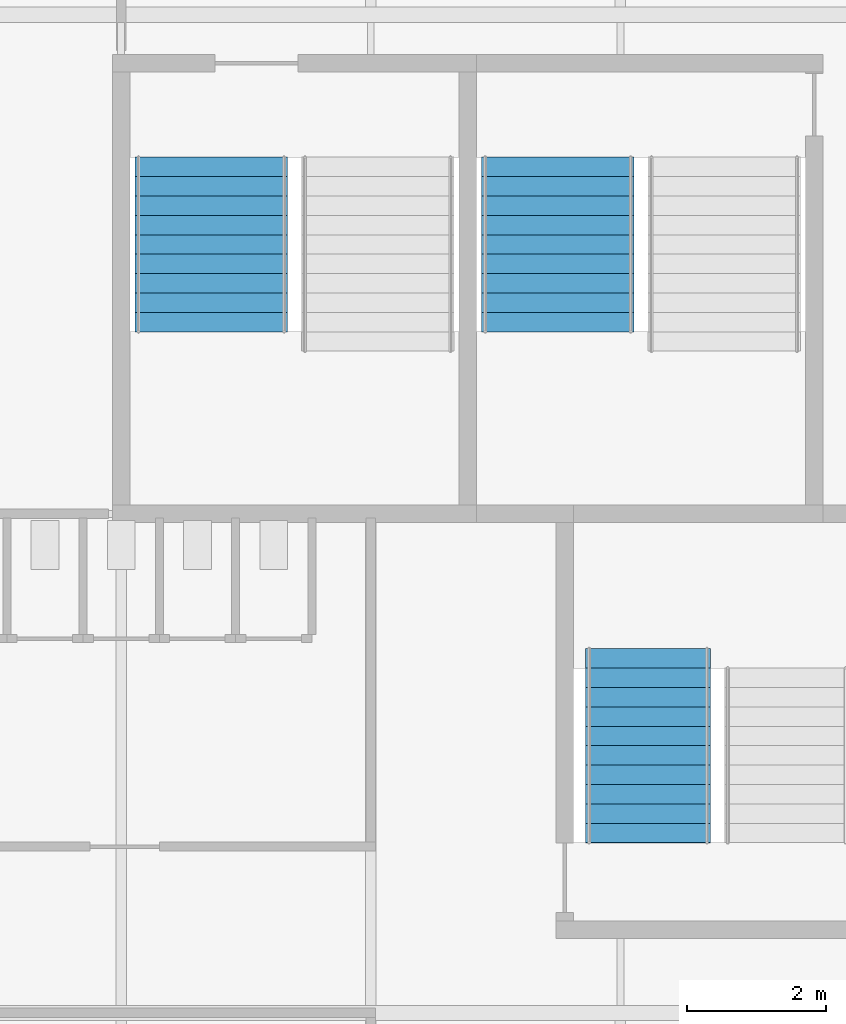
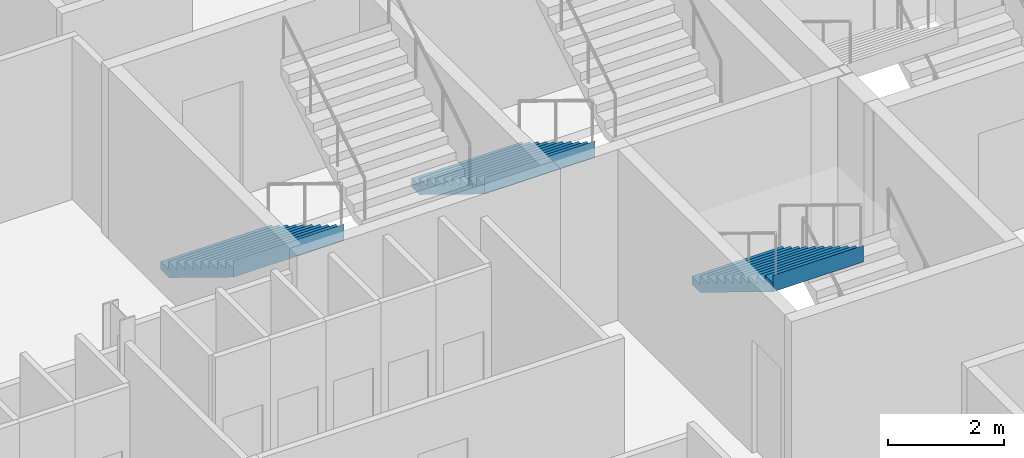
# One storey, part 65 of 90: 3 stair flights, 3 elements without a shape of their own.
"""IFC4 building model written with IfcOpenShell, lengths in metres."""

import ifcopenshell
import ifcopenshell.guid

model = None  # the IFC model being written
_history = None  # IfcOwnerHistory: only IFC2X3 demands one
_inside = {}  # id of a spatial element -> (the spatial element, [elements in it])
_under = {}  # id of a project, library or spatial element -> (it, [spatial elements below it])
_declared = {}  # id of a project -> (the project, [libraries it declares])
_typed = {}  # id of a type object -> (the type object, [elements of that type])
_made_of = {}  # id of a material, layer set ... -> (it, [elements and type objects made of it])


def new_model(schema):
    """Start an empty IFC model of exactly this schema.

    Asked for "IFC4X3", IfcOpenShell would pick the latest addendum, in which some entities
    have other attributes; the version numbers below select the first issue.
    IFC2X3 requires an IfcOwnerHistory on every rooted entity: one is made here for all.
    """
    global model, _history
    if schema == "IFC4X3":
        model = ifcopenshell.file(schema_version=(4, 3, 0, 0))
    else:
        model = ifcopenshell.file(schema=schema)
    _inside.clear()
    _under.clear()
    _declared.clear()
    _typed.clear()
    _made_of.clear()
    _history = None
    if model.schema == "IFC2X3":
        org = make("IfcOrganization", Name="unknown")
        user = make(
            "IfcPersonAndOrganization",
            ThePerson=make("IfcPerson", FamilyName="unknown"),
            TheOrganization=org,
        )
        app = make(
            "IfcApplication",
            ApplicationDeveloper=org,
            Version="unknown",
            ApplicationFullName="unknown",
            ApplicationIdentifier="unknown",
        )
        _history = make(
            "IfcOwnerHistory",
            OwningUser=user,
            OwningApplication=app,
            ChangeAction="ADDED",
            CreationDate=0,
        )
    return model


def make(cls, **values):
    """One entity of the class cls with the attributes given. An attribute that is None is left unset."""
    return model.create_entity(
        cls, **{name: value for name, value in values.items() if value is not None}
    )


def rooted(cls, **values):
    """An entity with a GlobalId (a new one), such as an element, a storey or a relation."""
    return make(cls, GlobalId=ifcopenshell.guid.new(), OwnerHistory=_history, **values)


def si_unit(unit_type, name, prefix=None):
    """IfcSIUnit, for example si_unit("LENGTHUNIT", "METRE", prefix="MILLI")."""
    return make("IfcSIUnit", UnitType=unit_type, Prefix=prefix, Name=name)


def assignment(units):
    """IfcUnitAssignment: the units of a project."""
    return None if units is None else make("IfcUnitAssignment", Units=units)


def point(xyz):
    """IfcCartesianPoint."""
    return None if xyz is None else make("IfcCartesianPoint", Coordinates=xyz)


def direction(xyz):
    """IfcDirection."""
    return None if xyz is None else make("IfcDirection", DirectionRatios=xyz)


def frame(location, z_axis=None, x_axis=None):
    """IfcAxis2Placement3D, a coordinate frame: its origin and axes. An axis left out is left unset."""
    return make(
        "IfcAxis2Placement3D",
        Location=point(location),
        Axis=direction(z_axis),
        RefDirection=direction(x_axis),
    )


def origin():
    """The frame at (0, 0, 0) with its axes left unset."""
    return frame((0.0, 0.0, 0.0))


def place(relative_to, where):
    """IfcLocalPlacement: puts the frame where relative to a parent placement (None: the world)."""
    return make(
        "IfcLocalPlacement", PlacementRelTo=relative_to, RelativePlacement=where
    )


def context(
    kind, dimensions, precision=None, world=None, true_north=None, identifier=None
):
    """IfcGeometricRepresentationContext, for example the 3D "Model" context."""
    return make(
        "IfcGeometricRepresentationContext",
        ContextIdentifier=identifier,
        ContextType=kind,
        CoordinateSpaceDimension=dimensions,
        Precision=precision,
        WorldCoordinateSystem=world,
        TrueNorth=true_north,
    )


def subcontext(parent, identifier, kind, view, scale=None):
    """IfcGeometricRepresentationSubContext, for example "Body" below "Model"."""
    return make(
        "IfcGeometricRepresentationSubContext",
        ContextIdentifier=identifier,
        ContextType=kind,
        ParentContext=parent,
        TargetScale=scale,
        TargetView=view,
    )


def project(units=None, contexts=None):
    """IfcProject with its units and contexts."""
    return rooted(
        "IfcProject",
        Name="project",
        RepresentationContexts=contexts,
        UnitsInContext=assignment(units),
    )


def spatial(cls, under=None, at=None, **own):
    """A site, building, storey or space (cls), placed at a placement, below another one or the project."""
    s = rooted(cls, ObjectPlacement=at, **own)
    if under is not None:
        _under.setdefault(under.id(), (under, []))[1].append(s)
    return s


def polyline(points):
    """IfcPolyline through the points."""
    return make("IfcPolyline", Points=[point(p) for p in points])


def outline(outer, holes=None, kind="AREA"):
    """IfcArbitraryClosedProfileDef: a profile drawn as a closed curve; with holes, ...WithVoids."""
    if holes is None:
        return make("IfcArbitraryClosedProfileDef", ProfileType=kind, OuterCurve=outer)
    return make(
        "IfcArbitraryProfileDefWithVoids",
        ProfileType=kind,
        OuterCurve=outer,
        InnerCurves=holes,
    )


def extrude(swept, where, along, depth):
    """IfcExtrudedAreaSolid: the profile swept, set in the frame where, extruded along a direction by depth."""
    return make(
        "IfcExtrudedAreaSolid",
        SweptArea=swept,
        Position=where,
        ExtrudedDirection=direction(along),
        Depth=depth,
    )


def shape(context_of_items, identifier, shape_type, items):
    """IfcShapeRepresentation: the items that make up one representation, for example the "Body"."""
    return make(
        "IfcShapeRepresentation",
        ContextOfItems=context_of_items,
        RepresentationIdentifier=identifier,
        RepresentationType=shape_type,
        Items=items,
    )


def material(Name=None, Category=None):
    """IfcMaterial."""
    return make("IfcMaterial", Name=Name, Category=Category)


def made_of(thing, what):
    """Note that an element or type object is made of a material, layer set ...; save() writes the relation."""
    if what is not None:
        _made_of.setdefault(what.id(), (what, []))[1].append(thing)
    return thing


def type_object(cls, material=None, **own):
    """A type object (cls), such as IfcWallType, which elements share."""
    return made_of(rooted(cls, **own), material)


def element(
    cls,
    number,
    at=None,
    inside=None,
    cuts=None,
    type_object=None,
    material=None,
    context=None,
    identifier="Body",
    shape_type=None,
    held_by="IfcProductDefinitionShape",
    body=None,
    shapes=None,
    **own,
):
    """One element of the class cls, such as IfcWall. Its Tag is "e" and its number.

    at: its placement. inside: the storey or other place that contains it. cuts: it is an
    opening in that element (IfcRelVoidsElement). A single representation is given by context,
    identifier, shape_type and body (its items); several are given by shapes. held_by: the class
    of the entity that holds the representations. save() writes the other relations.
    """
    e = rooted(cls, Tag="e%d" % number, ObjectPlacement=at, **own)
    if body is not None:
        shapes = [shape(context, identifier, shape_type, body)]
    if shapes is not None:
        e.Representation = make(held_by, Representations=shapes)
    if inside is not None:
        _inside.setdefault(inside.id(), (inside, []))[1].append(e)
    if cuts is not None:
        rooted(
            "IfcRelVoidsElement", RelatingBuildingElement=cuts, RelatedOpeningElement=e
        )
    if type_object is not None:
        _typed.setdefault(type_object.id(), (type_object, []))[1].append(e)
    return made_of(e, material)


def aggregate(whole, parts):
    """IfcRelAggregates: a whole, such as a stair, and the parts it consists of."""
    return rooted("IfcRelAggregates", RelatingObject=whole, RelatedObjects=parts)


def save(model, path):
    """Write the relations noted so far, then the file.

    IfcRelAggregates (storeys below a building ...), IfcRelContainedInSpatialStructure (elements
    in a storey), IfcRelDefinesByType, IfcRelAssociatesMaterial and IfcRelDeclares: one each for
    every whole, place, type object, material and project.
    """
    for whole, parts in _under.values():
        aggregate(whole, parts)
    for where, things in _inside.values():
        rooted(
            "IfcRelContainedInSpatialStructure",
            RelatedElements=things,
            RelatingStructure=where,
        )
    for kind, things in _typed.values():
        rooted("IfcRelDefinesByType", RelatedObjects=things, RelatingType=kind)
    for what, things in _made_of.values():
        rooted("IfcRelAssociatesMaterial", RelatedObjects=things, RelatingMaterial=what)
    for by, libraries in _declared.values():
        rooted("IfcRelDeclares", RelatingContext=by, RelatedDefinitions=libraries)
    model.write(path)


model = new_model("IFC4")

# Units and contexts
model_context = context("Model", 3, precision=1e-05, world=origin(), true_north=direction((0.0, 1.0)))
body_context = subcontext(model_context, "Body", "Model", "MODEL_VIEW")
ifc_project = project(units=[si_unit("LENGTHUNIT", "METRE"), si_unit("AREAUNIT", "SQUARE_METRE"), si_unit("VOLUMEUNIT", "CUBIC_METRE"), si_unit("PLANEANGLEUNIT", "RADIAN"), si_unit("MASSUNIT", "GRAM", prefix="KILO")], contexts=[model_context])

# Site, building, storey
site_placement = place(None, origin())
site = spatial("IfcSite", under=ifc_project, at=site_placement, CompositionType="ELEMENT")
building_placement = place(site_placement, origin())
building = spatial("IfcBuilding", under=site, at=building_placement, Name="Kupolbacken Congress Centre", CompositionType="ELEMENT")
storey_placement = place(building_placement, frame((0.0, 0.0, 3.60009765625)))
storey = spatial("IfcBuildingStorey", under=building, at=storey_placement, Name="L01", CompositionType="ELEMENT", Elevation=3.60009765625)

# Stair, stair flight
ifc_material_1 = material(Name="Concrete C30/37", Category="concrete")
stair_type_1 = type_object("IfcStairType", Name="ST13 stair 2200", PredefinedType="TWO_STRAIGHT_RUN_STAIR", material=ifc_material_1)
stair_1_placement = place(storey_placement, origin())
stair_1 = element("IfcStair", 1, at=stair_1_placement, inside=storey, type_object=stair_type_1, Name="C/stair/PS1SE/L01", PredefinedType="NOTDEFINED")
ifc_material_2 = material(Name="Concrete C30/37", Category="concrete")
stair_flight_type_1 = type_object("IfcStairFlightType", Name="FL13 stair flight 2200 x 10 risers", PredefinedType="STRAIGHT", material=ifc_material_2)
stair_flight_1_placement = place(storey_placement, frame((69.699951171875, 55.544921875, 0.0), z_axis=(0.0, 0.0, 1.0), x_axis=(0.0, -1.0, 0.0)))
stair_flight_1 = element("IfcStairFlight", 2, at=stair_flight_1_placement, type_object=stair_flight_type_1, Name="PS1SE flight 1", NumberOfRisers=10, NumberOfTreads=9, PredefinedType="STRAIGHT", RiserHeight=0.171428571, TreadLength=0.28, context=body_context, shape_type="SweptSolid", body=[
    extrude(outline(polyline([(0.0, 0.0), (0.0, 0.0009765625), (0.0, 0.002197265625), (0.0, 0.003173828125), (0.0, 0.004150390625), (0.0, 0.00537109375), (0.0, 0.00634765625), (0.0, 0.007568359375), (0.0, 0.008544921875), (0.0, 0.009521484375), (0.0, 0.0107421875), (0.0, 0.01171875), (0.0, 0.0126953125), (0.0, 0.013916015625), (0.0, 0.014892578125), (0.0, 0.015869140625), (0.0, 0.01708984375), (0.0, 0.01806640625), (0.0, 0.019287109375), (0.0, 0.020263671875), (0.0, 0.021240234375), (0.0, 0.0224609375), (0.0, 0.0234375), (0.0, 0.0244140625), (0.0, 0.025634765625), (0.0, 0.026611328125), (0.0, 0.027587890625), (0.0, 0.02880859375), (0.0, 0.02978515625), (0.0, 0.03076171875), (0.0, 0.031982421875), (0.0, 0.032958984375), (0.0, 0.0341796875), (0.0, 0.03515625), (0.0, 0.0361328125), (0.0, 0.037353515625), (0.0, 0.038330078125), (0.0, 0.039306640625), (0.0, 0.04052734375), (0.0, 0.04150390625), (0.0, 0.04248046875), (0.0, 0.043701171875), (0.0, 0.044677734375), (0.0, 0.0458984375), (0.0, 0.046875), (0.0, 0.0478515625), (0.0, 0.049072265625), (0.0, 0.050048828125), (0.0, 0.051025390625), (0.0, 0.05224609375), (0.0, 0.05322265625), (0.0, 0.05419921875), (0.0, 0.055419921875), (0.0, 0.056396484375), (0.0, 0.0576171875), (0.0, 0.05859375), (0.0, 0.0595703125), (0.0, 0.060791015625), (0.0, 0.061767578125), (0.0, 0.062744140625), (0.0, 0.06396484375), (0.0, 0.06494140625), (0.0, 0.06591796875), (0.0, 0.067138671875), (0.0, 0.068115234375), (0.0, 0.069091796875), (0.0, 0.0703125), (0.0, 0.0712890625), (0.0, 0.072509765625), (0.0, 0.073486328125), (0.0, 0.074462890625), (0.0, 0.07568359375), (0.0, 0.07666015625), (0.0, 0.07763671875), (0.0, 0.078857421875), (0.0, 0.079833984375), (0.0, 0.080810546875), (0.0, 0.08203125), (0.0, 0.0830078125), (0.0, 0.084228515625), (0.0, 0.085205078125), (0.0, 0.086181640625), (0.0, 0.08740234375), (0.0, 0.08837890625), (0.0, 0.08935546875), (0.0, 0.090576171875), (0.0, 0.091552734375), (0.0, 0.092529296875), (0.0, 0.09375), (0.0, 0.0947265625), (0.0, 0.095947265625), (0.0, 0.096923828125), (0.0, 0.097900390625), (0.0, 0.09912109375), (0.0, 0.10009765625), (0.0, 0.10107421875), (0.0, 0.102294921875), (0.0, 0.103271484375), (0.0, 0.104248046875), (0.0, 0.10546875), (0.0, 0.1064453125), (0.0, 0.107421875), (0.0, 0.108642578125), (0.0, 0.109619140625), (0.0, 0.11083984375), (0.0, 0.11181640625), (0.0, 0.11279296875), (0.0, 0.114013671875), (0.0, 0.114990234375), (0.0, 0.115966796875), (0.0, 0.1171875), (0.0, 0.1181640625), (0.0, 0.119140625), (0.0, 0.120361328125), (0.0, 0.121337890625), (0.0, 0.12255859375), (0.0, 0.12353515625), (0.0, 0.12451171875), (0.0, 0.125732421875), (0.0, 0.126708984375), (0.0, 0.127685546875), (0.0, 0.12890625), (0.0, 0.1298828125), (0.0, 0.130859375), (0.0, 0.132080078125), (0.0, 0.133056640625), (0.0, 0.13427734375), (0.0, 0.13525390625), (0.0, 0.13623046875), (0.0, 0.137451171875), (0.0, 0.138427734375), (0.0, 0.139404296875), (0.0, 0.140625), (0.0, 0.1416015625), (0.0, 0.142578125), (0.0, 0.143798828125), (0.0, 0.144775390625), (0.0, 0.145751953125), (0.0, 0.14697265625), (0.0, 0.14794921875), (0.0, 0.149169921875), (0.0, 0.150146484375), (0.0, 0.151123046875), (0.0, 0.15234375), (0.0, 0.1533203125), (0.0, 0.154296875), (0.0, 0.155517578125), (0.0, 0.156494140625), (0.0, 0.157470703125), (0.0, 0.15869140625), (0.0, 0.15966796875), (0.0, 0.160888671875), (0.0, 0.161865234375), (0.0, 0.162841796875), (0.0, 0.1640625), (0.0, 0.1650390625), (0.0, 0.166015625), (0.0, 0.167236328125), (0.0, 0.168212890625), (0.0, 0.169189453125), (0.0, 0.17041015625), (0.0, 0.17138671875), (0.280029296875, 0.17138671875), (0.280029296875, 0.3427734375), (0.56005859375, 0.3427734375), (0.56005859375, 0.514404296875), (0.840087890625, 0.514404296875), (0.840087890625, 0.685791015625), (1.1201171875, 0.685791015625), (1.1201171875, 0.857177734375), (1.39990234375, 0.857177734375), (1.39990234375, 1.028564453125), (1.679931640625, 1.028564453125), (1.679931640625, 1.199951171875), (1.9599609375, 1.199951171875), (1.9599609375, 1.371337890625), (2.239990234375, 1.371337890625), (2.239990234375, 1.54296875), (2.52001953125, 1.54296875), (2.52001953125, 1.71435546875), (2.52197265625, 1.71435546875), (2.52197265625, 1.712158203125), (2.52197265625, 1.7099609375), (2.52197265625, 1.707763671875), (2.52197265625, 1.70556640625), (2.52197265625, 1.70361328125), (2.52197265625, 1.701416015625), (2.52197265625, 1.69921875), (2.52197265625, 1.697021484375), (2.52197265625, 1.69482421875), (2.52197265625, 1.692626953125), (2.52197265625, 1.690673828125), (2.52197265625, 1.6884765625), (2.52197265625, 1.686279296875), (2.52197265625, 1.68408203125), (2.52197265625, 1.681884765625), (2.52197265625, 1.6796875), (2.52197265625, 1.677734375), (2.52197265625, 1.675537109375), (2.52197265625, 1.67333984375), (2.52197265625, 1.671142578125), (2.52197265625, 1.6689453125), (2.52197265625, 1.666748046875), (2.52197265625, 1.664794921875), (2.52197265625, 1.66259765625), (2.52197265625, 1.660400390625), (2.52197265625, 1.658203125), (2.52197265625, 1.656005859375), (2.52197265625, 1.65380859375), (2.52197265625, 1.65185546875), (2.52197265625, 1.649658203125), (2.52197265625, 1.6474609375), (2.52197265625, 1.645263671875), (2.52197265625, 1.64306640625), (2.52197265625, 1.640869140625), (2.52197265625, 1.638916015625), (2.52197265625, 1.63671875), (2.52197265625, 1.634521484375), (2.52197265625, 1.63232421875), (2.52197265625, 1.630126953125), (2.52197265625, 1.6279296875), (2.52197265625, 1.6259765625), (2.52197265625, 1.623779296875), (2.52197265625, 1.62158203125), (2.52197265625, 1.619384765625), (2.52197265625, 1.6171875), (2.52197265625, 1.614990234375), (2.52197265625, 1.613037109375), (2.52197265625, 1.61083984375), (2.52197265625, 1.608642578125), (2.52197265625, 1.6064453125), (2.52197265625, 1.604248046875), (2.52197265625, 1.60205078125), (2.52197265625, 1.60009765625), (2.52197265625, 1.597900390625), (2.52197265625, 1.595703125), (2.52197265625, 1.593505859375), (2.52197265625, 1.59130859375), (2.52197265625, 1.589111328125), (2.52197265625, 1.587158203125), (2.52197265625, 1.5849609375), (2.52197265625, 1.582763671875), (2.52197265625, 1.58056640625), (2.52197265625, 1.578369140625), (2.52197265625, 1.576171875), (2.52197265625, 1.57421875), (2.52197265625, 1.572021484375), (2.52197265625, 1.56982421875), (2.52197265625, 1.567626953125), (2.52197265625, 1.5654296875), (2.52197265625, 1.563232421875), (2.52197265625, 1.561279296875), (2.52197265625, 1.55908203125), (2.52197265625, 1.556884765625), (2.52197265625, 1.5546875), (2.52197265625, 1.552490234375), (2.52197265625, 1.55029296875), (2.52197265625, 1.54833984375), (2.52197265625, 1.546142578125), (2.52197265625, 1.5439453125), (2.52197265625, 1.541748046875), (2.52197265625, 1.53955078125), (2.52197265625, 1.537353515625), (2.52197265625, 1.535400390625), (2.52197265625, 1.533203125), (2.52197265625, 1.531005859375), (2.52197265625, 1.52880859375), (2.52197265625, 1.526611328125), (2.52197265625, 1.5244140625), (2.52197265625, 1.5224609375), (2.52197265625, 1.520263671875), (2.52197265625, 1.51806640625), (2.52197265625, 1.515869140625), (2.52197265625, 1.513671875), (2.52197265625, 1.511474609375), (2.52197265625, 1.509521484375), (2.52197265625, 1.50732421875), (2.52197265625, 1.505126953125), (2.52197265625, 1.5029296875), (2.52197265625, 1.500732421875), (2.52197265625, 1.49853515625), (2.52197265625, 1.49658203125), (2.52197265625, 1.494384765625), (2.52197265625, 1.4921875), (2.52197265625, 1.489990234375), (2.52197265625, 1.48779296875), (2.52197265625, 1.485595703125), (2.52197265625, 1.483642578125), (2.52197265625, 1.4814453125), (2.52197265625, 1.479248046875), (2.52197265625, 1.47705078125), (2.52197265625, 1.474853515625), (2.52197265625, 1.47265625), (2.52197265625, 1.470703125), (2.52197265625, 1.468505859375), (2.52197265625, 1.46630859375), (2.52197265625, 1.464111328125), (2.52197265625, 1.4619140625), (2.52197265625, 1.459716796875), (2.52197265625, 1.457763671875), (2.52197265625, 1.45556640625), (2.52197265625, 1.453369140625), (2.52197265625, 1.451171875), (2.52197265625, 1.448974609375), (2.52197265625, 1.44677734375), (2.52197265625, 1.44482421875), (2.52197265625, 1.442626953125), (2.52197265625, 1.4404296875), (2.52197265625, 1.438232421875), (2.52197265625, 1.43603515625), (2.52197265625, 1.433837890625), (2.52197265625, 1.431884765625), (2.52197265625, 1.4296875), (2.52197265625, 1.427490234375), (2.52197265625, 1.42529296875), (2.52197265625, 1.423095703125), (2.52197265625, 1.4208984375), (2.52197265625, 1.4189453125), (2.52197265625, 1.416748046875), (2.52197265625, 1.41455078125), (2.52197265625, 1.412353515625), (2.52197265625, 1.41015625), (2.52197265625, 1.407958984375), (2.52197265625, 1.406005859375), (2.52197265625, 1.40380859375), (2.52197265625, 1.401611328125), (2.52197265625, 1.3994140625), (2.52197265625, 1.397216796875), (2.52197265625, 1.39501953125), (2.52197265625, 1.39306640625), (2.52197265625, 1.390869140625), (2.52197265625, 1.388671875), (2.52197265625, 1.386474609375), (2.52197265625, 1.38427734375), (2.52197265625, 1.382080078125), (2.52197265625, 1.380126953125), (2.52197265625, 1.3779296875), (2.52197265625, 1.375732421875), (2.52197265625, 1.37353515625), (2.52197265625, 1.371337890625), (2.52197265625, 1.369140625), (2.52197265625, 1.3671875), (0.2890625, 0.0), (0.0, 0.0)])), frame((0.0, 1.10009765625, 0.0), z_axis=(0.0, -1.0, 0.0), x_axis=(1.0, 0.0, 0.0)), (0.0, 0.0, 1.0), 2.199951171875),
])
aggregate(stair_1, [stair_flight_1])

stair_2_placement = place(storey_placement, origin())
stair_2 = element("IfcStair", 3, at=stair_2_placement, inside=storey, type_object=stair_type_1, Name="C/stair/PS2SE/L01", PredefinedType="NOTDEFINED")
stair_flight_2_placement = place(storey_placement, frame((74.699951171875, 55.544921875, 0.0), z_axis=(0.0, 0.0, 1.0), x_axis=(0.0, -1.0, 0.0)))
stair_flight_2 = element("IfcStairFlight", 4, at=stair_flight_2_placement, type_object=stair_flight_type_1, Name="PS2SE flight 1", NumberOfRisers=10, NumberOfTreads=9, PredefinedType="STRAIGHT", RiserHeight=0.171428571, TreadLength=0.28, context=body_context, shape_type="SweptSolid", body=[
    extrude(outline(polyline([(0.0, 0.0), (0.0, 0.0009765625), (0.0, 0.002197265625), (0.0, 0.003173828125), (0.0, 0.004150390625), (0.0, 0.00537109375), (0.0, 0.00634765625), (0.0, 0.007568359375), (0.0, 0.008544921875), (0.0, 0.009521484375), (0.0, 0.0107421875), (0.0, 0.01171875), (0.0, 0.0126953125), (0.0, 0.013916015625), (0.0, 0.014892578125), (0.0, 0.015869140625), (0.0, 0.01708984375), (0.0, 0.01806640625), (0.0, 0.019287109375), (0.0, 0.020263671875), (0.0, 0.021240234375), (0.0, 0.0224609375), (0.0, 0.0234375), (0.0, 0.0244140625), (0.0, 0.025634765625), (0.0, 0.026611328125), (0.0, 0.027587890625), (0.0, 0.02880859375), (0.0, 0.02978515625), (0.0, 0.03076171875), (0.0, 0.031982421875), (0.0, 0.032958984375), (0.0, 0.0341796875), (0.0, 0.03515625), (0.0, 0.0361328125), (0.0, 0.037353515625), (0.0, 0.038330078125), (0.0, 0.039306640625), (0.0, 0.04052734375), (0.0, 0.04150390625), (0.0, 0.04248046875), (0.0, 0.043701171875), (0.0, 0.044677734375), (0.0, 0.0458984375), (0.0, 0.046875), (0.0, 0.0478515625), (0.0, 0.049072265625), (0.0, 0.050048828125), (0.0, 0.051025390625), (0.0, 0.05224609375), (0.0, 0.05322265625), (0.0, 0.05419921875), (0.0, 0.055419921875), (0.0, 0.056396484375), (0.0, 0.0576171875), (0.0, 0.05859375), (0.0, 0.0595703125), (0.0, 0.060791015625), (0.0, 0.061767578125), (0.0, 0.062744140625), (0.0, 0.06396484375), (0.0, 0.06494140625), (0.0, 0.06591796875), (0.0, 0.067138671875), (0.0, 0.068115234375), (0.0, 0.069091796875), (0.0, 0.0703125), (0.0, 0.0712890625), (0.0, 0.072509765625), (0.0, 0.073486328125), (0.0, 0.074462890625), (0.0, 0.07568359375), (0.0, 0.07666015625), (0.0, 0.07763671875), (0.0, 0.078857421875), (0.0, 0.079833984375), (0.0, 0.080810546875), (0.0, 0.08203125), (0.0, 0.0830078125), (0.0, 0.084228515625), (0.0, 0.085205078125), (0.0, 0.086181640625), (0.0, 0.08740234375), (0.0, 0.08837890625), (0.0, 0.08935546875), (0.0, 0.090576171875), (0.0, 0.091552734375), (0.0, 0.092529296875), (0.0, 0.09375), (0.0, 0.0947265625), (0.0, 0.095947265625), (0.0, 0.096923828125), (0.0, 0.097900390625), (0.0, 0.09912109375), (0.0, 0.10009765625), (0.0, 0.10107421875), (0.0, 0.102294921875), (0.0, 0.103271484375), (0.0, 0.104248046875), (0.0, 0.10546875), (0.0, 0.1064453125), (0.0, 0.107421875), (0.0, 0.108642578125), (0.0, 0.109619140625), (0.0, 0.11083984375), (0.0, 0.11181640625), (0.0, 0.11279296875), (0.0, 0.114013671875), (0.0, 0.114990234375), (0.0, 0.115966796875), (0.0, 0.1171875), (0.0, 0.1181640625), (0.0, 0.119140625), (0.0, 0.120361328125), (0.0, 0.121337890625), (0.0, 0.12255859375), (0.0, 0.12353515625), (0.0, 0.12451171875), (0.0, 0.125732421875), (0.0, 0.126708984375), (0.0, 0.127685546875), (0.0, 0.12890625), (0.0, 0.1298828125), (0.0, 0.130859375), (0.0, 0.132080078125), (0.0, 0.133056640625), (0.0, 0.13427734375), (0.0, 0.13525390625), (0.0, 0.13623046875), (0.0, 0.137451171875), (0.0, 0.138427734375), (0.0, 0.139404296875), (0.0, 0.140625), (0.0, 0.1416015625), (0.0, 0.142578125), (0.0, 0.143798828125), (0.0, 0.144775390625), (0.0, 0.145751953125), (0.0, 0.14697265625), (0.0, 0.14794921875), (0.0, 0.149169921875), (0.0, 0.150146484375), (0.0, 0.151123046875), (0.0, 0.15234375), (0.0, 0.1533203125), (0.0, 0.154296875), (0.0, 0.155517578125), (0.0, 0.156494140625), (0.0, 0.157470703125), (0.0, 0.15869140625), (0.0, 0.15966796875), (0.0, 0.160888671875), (0.0, 0.161865234375), (0.0, 0.162841796875), (0.0, 0.1640625), (0.0, 0.1650390625), (0.0, 0.166015625), (0.0, 0.167236328125), (0.0, 0.168212890625), (0.0, 0.169189453125), (0.0, 0.17041015625), (0.0, 0.17138671875), (0.280029296875, 0.17138671875), (0.280029296875, 0.3427734375), (0.56005859375, 0.3427734375), (0.56005859375, 0.514404296875), (0.840087890625, 0.514404296875), (0.840087890625, 0.685791015625), (1.1201171875, 0.685791015625), (1.1201171875, 0.857177734375), (1.39990234375, 0.857177734375), (1.39990234375, 1.028564453125), (1.679931640625, 1.028564453125), (1.679931640625, 1.199951171875), (1.9599609375, 1.199951171875), (1.9599609375, 1.371337890625), (2.239990234375, 1.371337890625), (2.239990234375, 1.54296875), (2.52001953125, 1.54296875), (2.52001953125, 1.71435546875), (2.52197265625, 1.71435546875), (2.52197265625, 1.712158203125), (2.52197265625, 1.7099609375), (2.52197265625, 1.707763671875), (2.52197265625, 1.70556640625), (2.52197265625, 1.70361328125), (2.52197265625, 1.701416015625), (2.52197265625, 1.69921875), (2.52197265625, 1.697021484375), (2.52197265625, 1.69482421875), (2.52197265625, 1.692626953125), (2.52197265625, 1.690673828125), (2.52197265625, 1.6884765625), (2.52197265625, 1.686279296875), (2.52197265625, 1.68408203125), (2.52197265625, 1.681884765625), (2.52197265625, 1.6796875), (2.52197265625, 1.677734375), (2.52197265625, 1.675537109375), (2.52197265625, 1.67333984375), (2.52197265625, 1.671142578125), (2.52197265625, 1.6689453125), (2.52197265625, 1.666748046875), (2.52197265625, 1.664794921875), (2.52197265625, 1.66259765625), (2.52197265625, 1.660400390625), (2.52197265625, 1.658203125), (2.52197265625, 1.656005859375), (2.52197265625, 1.65380859375), (2.52197265625, 1.65185546875), (2.52197265625, 1.649658203125), (2.52197265625, 1.6474609375), (2.52197265625, 1.645263671875), (2.52197265625, 1.64306640625), (2.52197265625, 1.640869140625), (2.52197265625, 1.638916015625), (2.52197265625, 1.63671875), (2.52197265625, 1.634521484375), (2.52197265625, 1.63232421875), (2.52197265625, 1.630126953125), (2.52197265625, 1.6279296875), (2.52197265625, 1.6259765625), (2.52197265625, 1.623779296875), (2.52197265625, 1.62158203125), (2.52197265625, 1.619384765625), (2.52197265625, 1.6171875), (2.52197265625, 1.614990234375), (2.52197265625, 1.613037109375), (2.52197265625, 1.61083984375), (2.52197265625, 1.608642578125), (2.52197265625, 1.6064453125), (2.52197265625, 1.604248046875), (2.52197265625, 1.60205078125), (2.52197265625, 1.60009765625), (2.52197265625, 1.597900390625), (2.52197265625, 1.595703125), (2.52197265625, 1.593505859375), (2.52197265625, 1.59130859375), (2.52197265625, 1.589111328125), (2.52197265625, 1.587158203125), (2.52197265625, 1.5849609375), (2.52197265625, 1.582763671875), (2.52197265625, 1.58056640625), (2.52197265625, 1.578369140625), (2.52197265625, 1.576171875), (2.52197265625, 1.57421875), (2.52197265625, 1.572021484375), (2.52197265625, 1.56982421875), (2.52197265625, 1.567626953125), (2.52197265625, 1.5654296875), (2.52197265625, 1.563232421875), (2.52197265625, 1.561279296875), (2.52197265625, 1.55908203125), (2.52197265625, 1.556884765625), (2.52197265625, 1.5546875), (2.52197265625, 1.552490234375), (2.52197265625, 1.55029296875), (2.52197265625, 1.54833984375), (2.52197265625, 1.546142578125), (2.52197265625, 1.5439453125), (2.52197265625, 1.541748046875), (2.52197265625, 1.53955078125), (2.52197265625, 1.537353515625), (2.52197265625, 1.535400390625), (2.52197265625, 1.533203125), (2.52197265625, 1.531005859375), (2.52197265625, 1.52880859375), (2.52197265625, 1.526611328125), (2.52197265625, 1.5244140625), (2.52197265625, 1.5224609375), (2.52197265625, 1.520263671875), (2.52197265625, 1.51806640625), (2.52197265625, 1.515869140625), (2.52197265625, 1.513671875), (2.52197265625, 1.511474609375), (2.52197265625, 1.509521484375), (2.52197265625, 1.50732421875), (2.52197265625, 1.505126953125), (2.52197265625, 1.5029296875), (2.52197265625, 1.500732421875), (2.52197265625, 1.49853515625), (2.52197265625, 1.49658203125), (2.52197265625, 1.494384765625), (2.52197265625, 1.4921875), (2.52197265625, 1.489990234375), (2.52197265625, 1.48779296875), (2.52197265625, 1.485595703125), (2.52197265625, 1.483642578125), (2.52197265625, 1.4814453125), (2.52197265625, 1.479248046875), (2.52197265625, 1.47705078125), (2.52197265625, 1.474853515625), (2.52197265625, 1.47265625), (2.52197265625, 1.470703125), (2.52197265625, 1.468505859375), (2.52197265625, 1.46630859375), (2.52197265625, 1.464111328125), (2.52197265625, 1.4619140625), (2.52197265625, 1.459716796875), (2.52197265625, 1.457763671875), (2.52197265625, 1.45556640625), (2.52197265625, 1.453369140625), (2.52197265625, 1.451171875), (2.52197265625, 1.448974609375), (2.52197265625, 1.44677734375), (2.52197265625, 1.44482421875), (2.52197265625, 1.442626953125), (2.52197265625, 1.4404296875), (2.52197265625, 1.438232421875), (2.52197265625, 1.43603515625), (2.52197265625, 1.433837890625), (2.52197265625, 1.431884765625), (2.52197265625, 1.4296875), (2.52197265625, 1.427490234375), (2.52197265625, 1.42529296875), (2.52197265625, 1.423095703125), (2.52197265625, 1.4208984375), (2.52197265625, 1.4189453125), (2.52197265625, 1.416748046875), (2.52197265625, 1.41455078125), (2.52197265625, 1.412353515625), (2.52197265625, 1.41015625), (2.52197265625, 1.407958984375), (2.52197265625, 1.406005859375), (2.52197265625, 1.40380859375), (2.52197265625, 1.401611328125), (2.52197265625, 1.3994140625), (2.52197265625, 1.397216796875), (2.52197265625, 1.39501953125), (2.52197265625, 1.39306640625), (2.52197265625, 1.390869140625), (2.52197265625, 1.388671875), (2.52197265625, 1.386474609375), (2.52197265625, 1.38427734375), (2.52197265625, 1.382080078125), (2.52197265625, 1.380126953125), (2.52197265625, 1.3779296875), (2.52197265625, 1.375732421875), (2.52197265625, 1.37353515625), (2.52197265625, 1.371337890625), (2.52197265625, 1.369140625), (2.52197265625, 1.3671875), (0.2890625, 0.0), (0.0, 0.0)])), frame((0.0, 1.10009765625, 0.0), z_axis=(0.0, -1.0, 0.0), x_axis=(1.0, 0.0, 0.0)), (0.0, 0.0, 1.0), 2.199951171875),
])
aggregate(stair_2, [stair_flight_2])

ifc_material_3 = material(Name="Steel S355", Category="steel")
stair_type_2 = type_object("IfcStairType", Name="ST3 stair 1800", PredefinedType="TWO_STRAIGHT_RUN_STAIR", material=ifc_material_3)
stair_3_placement = place(storey_placement, origin())
stair_3 = element("IfcStair", 5, at=stair_3_placement, inside=storey, type_object=stair_type_2, Name="C/stair/FS2E/L01", PredefinedType="NOTDEFINED")
ifc_material_4 = material(Name="Steel S355", Category="steel")
stair_flight_type_2 = type_object("IfcStairFlightType", Name="FL6 stair flight 1800 x 11 risers", PredefinedType="STRAIGHT", material=ifc_material_4)
stair_flight_3_placement = place(storey_placement, frame((76.0, 48.455078125, 1.714111328125), z_axis=(0.0, 0.0, 1.0), x_axis=(0.0, -1.0, 0.0)))
stair_flight_3 = element("IfcStairFlight", 6, at=stair_flight_3_placement, type_object=stair_flight_type_2, Name="FS2E flight 2", NumberOfRisers=11, NumberOfTreads=10, PredefinedType="STRAIGHT", RiserHeight=0.171428571, TreadLength=0.28, context=body_context, shape_type="SweptSolid", body=[
    extrude(outline(polyline([(0.0, 0.0), (0.0, 0.0009765625), (0.0, 0.002197265625), (0.0, 0.003173828125), (0.0, 0.004150390625), (0.0, 0.00537109375), (0.0, 0.00634765625), (0.0, 0.007568359375), (0.0, 0.008544921875), (0.0, 0.009521484375), (0.0, 0.0107421875), (0.0, 0.01171875), (0.0, 0.0126953125), (0.0, 0.013916015625), (0.0, 0.014892578125), (0.0, 0.015869140625), (0.0, 0.01708984375), (0.0, 0.01806640625), (0.0, 0.019287109375), (0.0, 0.020263671875), (0.0, 0.021240234375), (0.0, 0.0224609375), (0.0, 0.0234375), (0.0, 0.0244140625), (0.0, 0.025634765625), (0.0, 0.026611328125), (0.0, 0.027587890625), (0.0, 0.02880859375), (0.0, 0.02978515625), (0.0, 0.03076171875), (0.0, 0.031982421875), (0.0, 0.032958984375), (0.0, 0.0341796875), (0.0, 0.03515625), (0.0, 0.0361328125), (0.0, 0.037353515625), (0.0, 0.038330078125), (0.0, 0.039306640625), (0.0, 0.04052734375), (0.0, 0.04150390625), (0.0, 0.04248046875), (0.0, 0.043701171875), (0.0, 0.044677734375), (0.0, 0.0458984375), (0.0, 0.046875), (0.0, 0.0478515625), (0.0, 0.049072265625), (0.0, 0.050048828125), (0.0, 0.051025390625), (0.0, 0.05224609375), (0.0, 0.05322265625), (0.0, 0.05419921875), (0.0, 0.055419921875), (0.0, 0.056396484375), (0.0, 0.0576171875), (0.0, 0.05859375), (0.0, 0.0595703125), (0.0, 0.060791015625), (0.0, 0.061767578125), (0.0, 0.062744140625), (0.0, 0.06396484375), (0.0, 0.06494140625), (0.0, 0.06591796875), (0.0, 0.067138671875), (0.0, 0.068115234375), (0.0, 0.069091796875), (0.0, 0.0703125), (0.0, 0.0712890625), (0.0, 0.072509765625), (0.0, 0.073486328125), (0.0, 0.074462890625), (0.0, 0.07568359375), (0.0, 0.07666015625), (0.0, 0.07763671875), (0.0, 0.078857421875), (0.0, 0.079833984375), (0.0, 0.080810546875), (0.0, 0.08203125), (0.0, 0.0830078125), (0.0, 0.084228515625), (0.0, 0.085205078125), (0.0, 0.086181640625), (0.0, 0.08740234375), (0.0, 0.08837890625), (0.0, 0.08935546875), (0.0, 0.090576171875), (0.0, 0.091552734375), (0.0, 0.092529296875), (0.0, 0.09375), (0.0, 0.0947265625), (0.0, 0.095947265625), (0.0, 0.096923828125), (0.0, 0.097900390625), (0.0, 0.09912109375), (0.0, 0.10009765625), (0.0, 0.10107421875), (0.0, 0.102294921875), (0.0, 0.103271484375), (0.0, 0.104248046875), (0.0, 0.10546875), (0.0, 0.1064453125), (0.0, 0.107421875), (0.0, 0.108642578125), (0.0, 0.109619140625), (0.0, 0.11083984375), (0.0, 0.11181640625), (0.0, 0.11279296875), (0.0, 0.114013671875), (0.0, 0.114990234375), (0.0, 0.115966796875), (0.0, 0.1171875), (0.0, 0.1181640625), (0.0, 0.119140625), (0.0, 0.120361328125), (0.0, 0.121337890625), (0.0, 0.12255859375), (0.0, 0.12353515625), (0.0, 0.12451171875), (0.0, 0.125732421875), (0.0, 0.126708984375), (0.0, 0.127685546875), (0.0, 0.12890625), (0.0, 0.1298828125), (0.0, 0.130859375), (0.0, 0.132080078125), (0.0, 0.133056640625), (0.0, 0.13427734375), (0.0, 0.13525390625), (0.0, 0.13623046875), (0.0, 0.137451171875), (0.0, 0.138427734375), (0.0, 0.139404296875), (0.0, 0.140625), (0.0, 0.1416015625), (0.0, 0.142578125), (0.0, 0.143798828125), (0.0, 0.144775390625), (0.0, 0.145751953125), (0.0, 0.14697265625), (0.0, 0.14794921875), (0.0, 0.149169921875), (0.0, 0.150146484375), (0.0, 0.151123046875), (0.0, 0.15234375), (0.0, 0.1533203125), (0.0, 0.154296875), (0.0, 0.155517578125), (0.0, 0.156494140625), (0.0, 0.157470703125), (0.0, 0.15869140625), (0.0, 0.15966796875), (0.0, 0.160888671875), (0.0, 0.161865234375), (0.0, 0.162841796875), (0.0, 0.1640625), (0.0, 0.1650390625), (0.0, 0.166015625), (0.0, 0.167236328125), (0.0, 0.168212890625), (0.0, 0.169189453125), (0.0, 0.17041015625), (0.0, 0.17138671875), (0.280029296875, 0.17138671875), (0.280029296875, 0.3427734375), (0.56005859375, 0.3427734375), (0.56005859375, 0.514404296875), (0.840087890625, 0.514404296875), (0.840087890625, 0.685791015625), (1.1201171875, 0.685791015625), (1.1201171875, 0.857177734375), (1.39990234375, 0.857177734375), (1.39990234375, 1.028564453125), (1.679931640625, 1.028564453125), (1.679931640625, 1.199951171875), (1.9599609375, 1.199951171875), (1.9599609375, 1.371337890625), (2.239990234375, 1.371337890625), (2.239990234375, 1.54296875), (2.52001953125, 1.54296875), (2.52001953125, 1.71435546875), (2.800048828125, 1.71435546875), (2.800048828125, 1.8857421875), (2.802001953125, 1.8857421875), (2.802001953125, 1.883544921875), (2.802001953125, 1.88134765625), (2.802001953125, 1.879150390625), (2.802001953125, 1.877197265625), (2.802001953125, 1.875), (2.802001953125, 1.872802734375), (2.802001953125, 1.87060546875), (2.802001953125, 1.868408203125), (2.802001953125, 1.8662109375), (2.802001953125, 1.8642578125), (2.802001953125, 1.862060546875), (2.802001953125, 1.85986328125), (2.802001953125, 1.857666015625), (2.802001953125, 1.85546875), (2.802001953125, 1.853271484375), (2.802001953125, 1.851318359375), (2.802001953125, 1.84912109375), (2.802001953125, 1.846923828125), (2.802001953125, 1.8447265625), (2.802001953125, 1.842529296875), (2.802001953125, 1.84033203125), (2.802001953125, 1.83837890625), (2.802001953125, 1.836181640625), (2.802001953125, 1.833984375), (2.802001953125, 1.831787109375), (2.802001953125, 1.82958984375), (2.802001953125, 1.827392578125), (2.802001953125, 1.825439453125), (2.802001953125, 1.8232421875), (2.802001953125, 1.821044921875), (2.802001953125, 1.81884765625), (2.802001953125, 1.816650390625), (2.802001953125, 1.814453125), (2.802001953125, 1.8125), (2.802001953125, 1.810302734375), (2.802001953125, 1.80810546875), (2.802001953125, 1.805908203125), (2.802001953125, 1.8037109375), (2.802001953125, 1.801513671875), (2.802001953125, 1.799560546875), (2.802001953125, 1.79736328125), (2.802001953125, 1.795166015625), (2.802001953125, 1.79296875), (2.802001953125, 1.790771484375), (2.802001953125, 1.78857421875), (2.802001953125, 1.78662109375), (2.802001953125, 1.784423828125), (2.802001953125, 1.7822265625), (2.802001953125, 1.780029296875), (2.802001953125, 1.77783203125), (2.802001953125, 1.775634765625), (2.802001953125, 1.773681640625), (2.802001953125, 1.771484375), (2.802001953125, 1.769287109375), (2.802001953125, 1.76708984375), (2.802001953125, 1.764892578125), (2.802001953125, 1.7626953125), (2.802001953125, 1.7607421875), (2.802001953125, 1.758544921875), (2.802001953125, 1.75634765625), (2.802001953125, 1.754150390625), (2.802001953125, 1.751953125), (2.802001953125, 1.749755859375), (2.802001953125, 1.747802734375), (2.802001953125, 1.74560546875), (2.802001953125, 1.743408203125), (2.802001953125, 1.7412109375), (2.802001953125, 1.739013671875), (2.802001953125, 1.73681640625), (2.802001953125, 1.73486328125), (2.802001953125, 1.732666015625), (2.802001953125, 1.73046875), (2.802001953125, 1.728271484375), (2.802001953125, 1.72607421875), (2.802001953125, 1.723876953125), (2.802001953125, 1.721923828125), (2.802001953125, 1.7197265625), (2.802001953125, 1.717529296875), (2.802001953125, 1.71533203125), (2.802001953125, 1.713134765625), (2.802001953125, 1.7109375), (2.802001953125, 1.708984375), (2.802001953125, 1.706787109375), (2.802001953125, 1.70458984375), (2.802001953125, 1.702392578125), (2.802001953125, 1.7001953125), (2.802001953125, 1.697998046875), (2.802001953125, 1.696044921875), (2.802001953125, 1.69384765625), (2.802001953125, 1.691650390625), (2.802001953125, 1.689453125), (2.802001953125, 1.687255859375), (2.802001953125, 1.68505859375), (2.802001953125, 1.68310546875), (2.802001953125, 1.680908203125), (2.802001953125, 1.6787109375), (2.802001953125, 1.676513671875), (2.802001953125, 1.67431640625), (2.802001953125, 1.672119140625), (2.802001953125, 1.670166015625), (2.802001953125, 1.66796875), (2.802001953125, 1.665771484375), (2.802001953125, 1.66357421875), (2.802001953125, 1.661376953125), (2.802001953125, 1.6591796875), (2.802001953125, 1.6572265625), (2.802001953125, 1.655029296875), (2.802001953125, 1.65283203125), (2.802001953125, 1.650634765625), (2.802001953125, 1.6484375), (2.802001953125, 1.646240234375), (2.802001953125, 1.644287109375), (2.802001953125, 1.64208984375), (2.802001953125, 1.639892578125), (2.802001953125, 1.6376953125), (2.802001953125, 1.635498046875), (2.802001953125, 1.63330078125), (2.802001953125, 1.63134765625), (2.802001953125, 1.629150390625), (2.802001953125, 1.626953125), (2.802001953125, 1.624755859375), (2.802001953125, 1.62255859375), (2.802001953125, 1.620361328125), (2.802001953125, 1.618408203125), (2.802001953125, 1.6162109375), (2.802001953125, 1.614013671875), (2.802001953125, 1.61181640625), (2.802001953125, 1.609619140625), (2.802001953125, 1.607421875), (2.802001953125, 1.60546875), (2.802001953125, 1.603271484375), (2.802001953125, 1.60107421875), (2.802001953125, 1.598876953125), (2.802001953125, 1.5966796875), (2.802001953125, 1.594482421875), (2.802001953125, 1.592529296875), (2.802001953125, 1.59033203125), (2.802001953125, 1.588134765625), (2.802001953125, 1.5859375), (2.802001953125, 1.583740234375), (2.802001953125, 1.58154296875), (2.802001953125, 1.57958984375), (2.802001953125, 1.577392578125), (2.802001953125, 1.5751953125), (2.802001953125, 1.572998046875), (2.802001953125, 1.57080078125), (2.802001953125, 1.568603515625), (2.802001953125, 1.566650390625), (2.802001953125, 1.564453125), (2.802001953125, 1.562255859375), (2.802001953125, 1.56005859375), (2.802001953125, 1.557861328125), (2.802001953125, 1.5556640625), (2.802001953125, 1.5537109375), (2.802001953125, 1.551513671875), (2.802001953125, 1.54931640625), (2.802001953125, 1.547119140625), (2.802001953125, 1.544921875), (2.802001953125, 1.542724609375), (2.802001953125, 1.540771484375), (2.802001953125, 1.53857421875), (0.2890625, 0.0), (0.0, 0.0)])), frame((0.0, 0.89990234375, 0.0), z_axis=(0.0, -1.0, 0.0), x_axis=(1.0, 0.0, 0.0)), (0.0, 0.0, 1.0), 1.800048828125),
])
aggregate(stair_3, [stair_flight_3])

save(model, "model.ifc")
